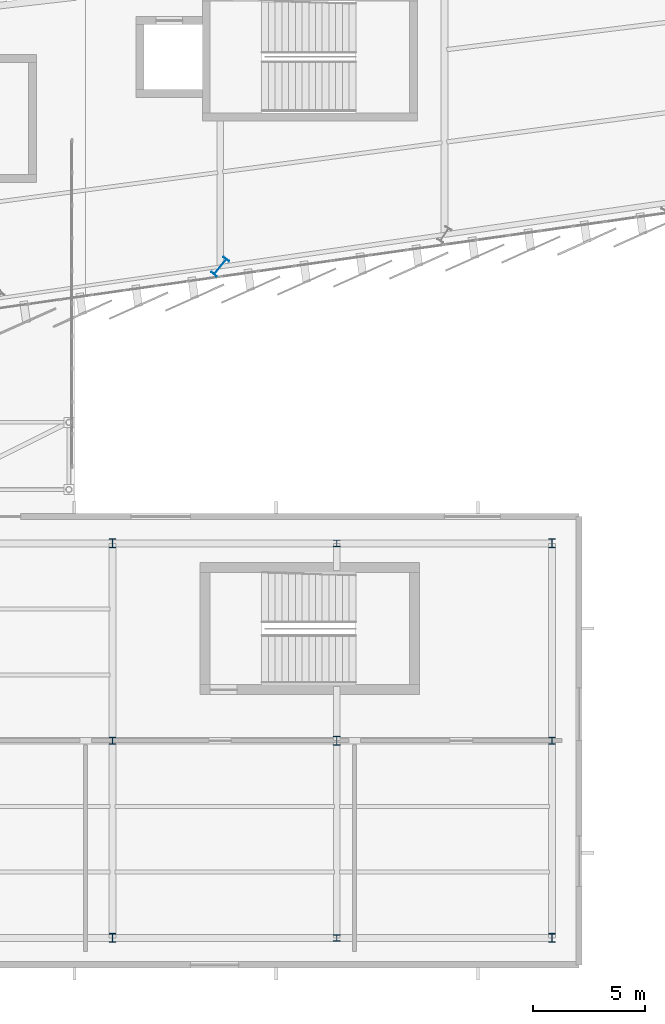
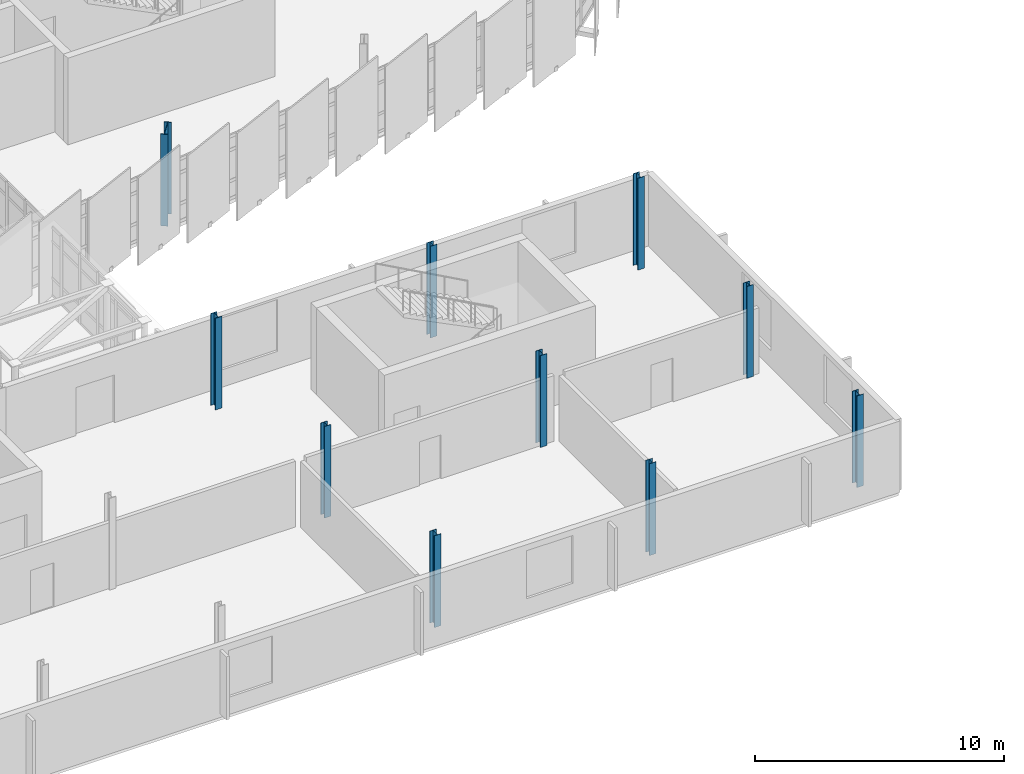
# One storey, part 18 of 125: 10 columns.
"""IFC4 building model written with IfcOpenShell, lengths in metres."""

from ifc_helpers import new_model, si_unit, direction, frame, origin, origin_2d, place, context, subcontext, project, spatial, i_section, extrude, material, material_profile, profile_set, type_object, element, save


model = new_model("IFC4")

# Units and contexts
model_context = context("Model", 3, precision=1e-05, world=origin(), true_north=direction((0.0, 1.0)))
body_context = subcontext(model_context, "Body", "Model", "MODEL_VIEW")
ifc_project = project(units=[si_unit("LENGTHUNIT", "METRE"), si_unit("AREAUNIT", "SQUARE_METRE"), si_unit("VOLUMEUNIT", "CUBIC_METRE"), si_unit("PLANEANGLEUNIT", "RADIAN"), si_unit("MASSUNIT", "GRAM", prefix="KILO")], contexts=[model_context])

# Site, building, storey
site_placement = place(None, origin())
site = spatial("IfcSite", under=ifc_project, at=site_placement, CompositionType="ELEMENT")
building_placement = place(site_placement, origin())
building = spatial("IfcBuilding", under=site, at=building_placement, Name="Sohan Crest Arena", CompositionType="ELEMENT")
storey_placement = place(building_placement, frame((0.0, 0.0, 9.0)))
storey = spatial("IfcBuildingStorey", under=building, at=storey_placement, Name="L02", CompositionType="ELEMENT", Elevation=9.0)

# Columns
ifc_material = material(Name="Steel S355", Category="steel")
ifc_material_profile_1 = material_profile(ifc_material, i_section(OverallWidth=0.300048828125, OverallDepth=0.300048828125, WebThickness=0.010986328125, FlangeThickness=0.01904296875, at=origin_2d()), Name="HEB 300")
ifc_profile_set_1 = profile_set([ifc_material_profile_1], Name="Steel S355")
column_type_1 = type_object("IfcColumnType", Name="STR-COL-C17", PredefinedType="COLUMN", material=ifc_profile_set_1)
for number, where, z_axis, x_axis, name in (
    (1, (143.199951171875, 16.0, 0.0), (0.0, 0.0, 1.0), (1.0, 0.0, 0.0), "Structural column COL-V5C-08-2-L02"),
    (2, (153.199951171875, 7.199951171875, 0.0), (0.0, 0.0, 1.0), (1.0, 0.0, 0.0), "Structural column COL-V5C-09-1-L02"),
    (3, (153.199951171875, 24.800048828125, 0.0), (0.0, 0.0, 1.0), (1.0, 0.0, 0.0), "Structural column COL-V5C-09-3-L02"),
    (4, (162.800048828125, 16.0, 0.0), (0.0, 0.0, 1.0), (1.0, 0.0, 0.0), "Structural column COL-V5C-10-2-L02"),
):
    element("IfcColumn", number, at=place(storey_placement, frame(where, z_axis=z_axis, x_axis=x_axis)), inside=storey, type_object=column_type_1, Name=name, PredefinedType="COLUMN", context=body_context, shape_type="SweptSolid", body=[
        extrude(i_section(OverallWidth=0.300048828125, OverallDepth=0.300048828125, WebThickness=0.010986328125, FlangeThickness=0.01904296875, at=origin_2d()), origin(), (0.0, 0.0, 1.0), 4.5),
    ])
ifc_material_profile_2 = material_profile(ifc_material, i_section(OverallWidth=0.300048828125, OverallDepth=0.39990234375, WebThickness=0.013427734375, FlangeThickness=0.02392578125, at=origin_2d()), Name="HEB 400")
ifc_profile_set_2 = profile_set([ifc_material_profile_2], Name="Steel S355")
column_type_2 = type_object("IfcColumnType", Name="STR-COL-C18", PredefinedType="COLUMN", material=ifc_profile_set_2)
for number, where, z_axis, x_axis, name in (
    (5, (143.199951171875, 7.199951171875, 0.0), (0.0, 0.0, 1.0), (1.0, 0.0, 0.0), "Structural column COL-V5C-08-1-L02"),
    (6, (143.199951171875, 24.800048828125, 0.0), (0.0, 0.0, 1.0), (1.0, 0.0, 0.0), "Structural column COL-V5C-08-3-L02"),
    (7, (153.199951171875, 16.0, 0.0), (0.0, 0.0, 1.0), (1.0, 0.0, 0.0), "Structural column COL-V5C-09-2-L02"),
    (8, (162.800048828125, 7.199951171875, 0.0), (0.0, 0.0, 1.0), (1.0, 0.0, 0.0), "Structural column COL-V5C-10-1-L02"),
    (9, (162.800048828125, 24.800048828125, 0.0), (0.0, 0.0, 1.0), (1.0, 0.0, 0.0), "Structural column COL-V5C-10-3-L02"),
):
    element("IfcColumn", number, at=place(storey_placement, frame(where, z_axis=z_axis, x_axis=x_axis)), inside=storey, type_object=column_type_2, Name=name, PredefinedType="COLUMN", context=body_context, shape_type="SweptSolid", body=[
        extrude(i_section(OverallWidth=0.300048828125, OverallDepth=0.39990234375, WebThickness=0.013427734375, FlangeThickness=0.02392578125, at=origin_2d()), origin(), (0.0, 0.0, 1.0), 4.5),
    ])
ifc_material_profile_3 = material_profile(ifc_material, i_section(OverallWidth=0.300048828125, OverallDepth=0.89990234375, WebThickness=0.0185546875, FlangeThickness=0.034912109375, at=origin_2d()), Name="HEB 900")
ifc_profile_set_3 = profile_set([ifc_material_profile_3], Name="Steel S355")
column_type_3 = type_object("IfcColumnType", Name="STR-COL-C23", PredefinedType="COLUMN", material=ifc_profile_set_3)
column_placement = place(storey_placement, frame((148.0, 37.14306640625, 0.0), z_axis=(0.0, 0.0, 1.0), x_axis=(-0.773840209727, 0.633380872628, 0.0)))
element("IfcColumn", 10, at=column_placement, inside=storey, type_object=column_type_3, Name="Structural column COL-V2O-18-L02", PredefinedType="COLUMN", context=body_context, shape_type="SweptSolid", body=[
    extrude(i_section(OverallWidth=0.300048828125, OverallDepth=0.89990234375, WebThickness=0.0185546875, FlangeThickness=0.034912109375, at=origin_2d()), origin(), (0.0, 0.0, 1.0), 4.5),
])

save(model, "model.ifc")
